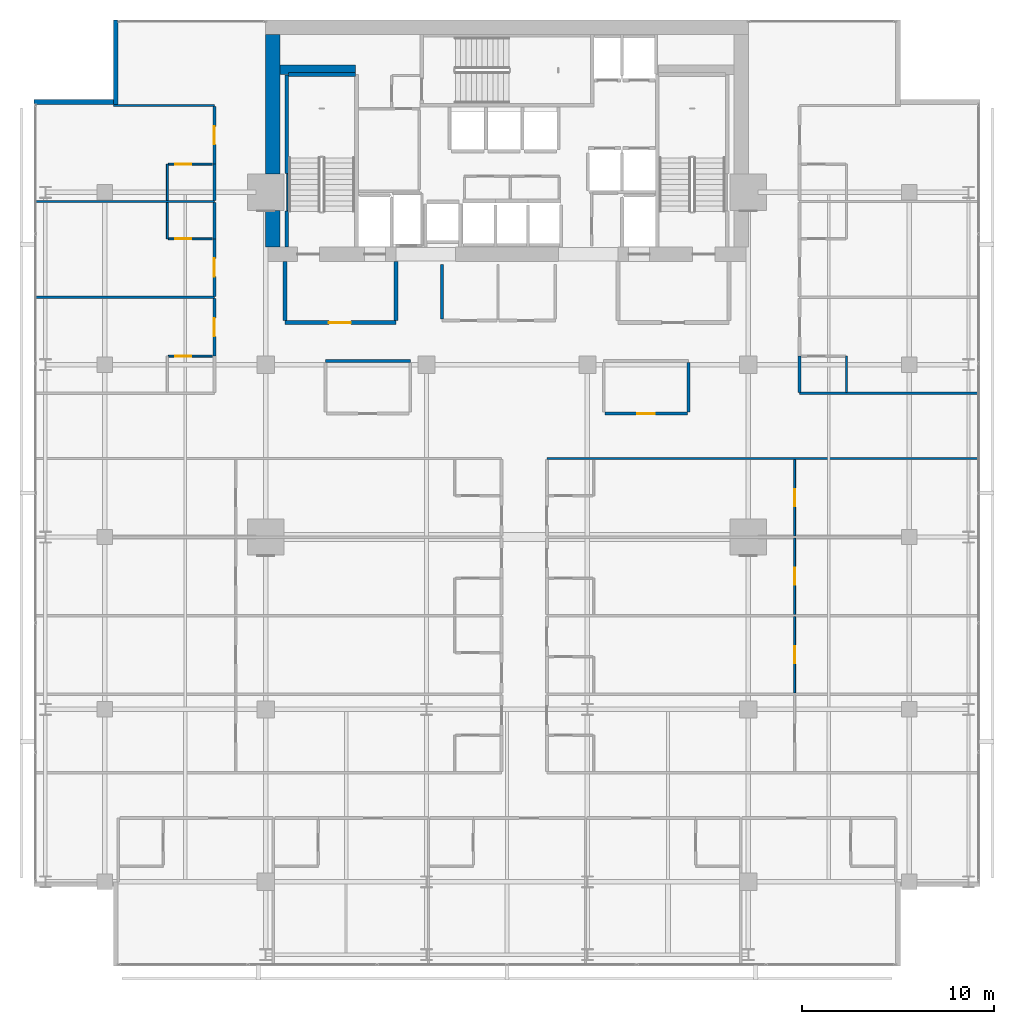
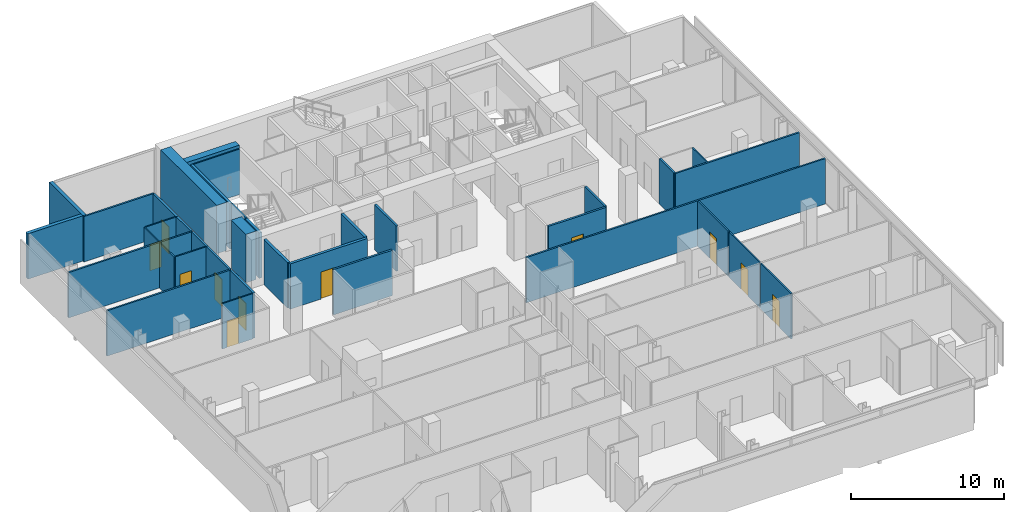
# One storey, part 29 of 34: 36 walls, 11 doors, 11 openings.
"""IFC4 building model written with IfcOpenShell, lengths in metres."""

from ifc_helpers import new_model, si_unit, direction, frame, frame_2d, origin, place, context, subcontext, project, spatial, rectangle, extrude, material, layer, layer_set, type_object, element, fill, save


model = new_model("IFC4")

# Units and contexts
model_context = context("Model", 3, precision=1e-05, world=origin(), true_north=direction((0.0, 1.0)))
body_context = subcontext(model_context, "Body", "Model", "MODEL_VIEW")
ifc_project = project(units=[si_unit("LENGTHUNIT", "METRE"), si_unit("AREAUNIT", "SQUARE_METRE"), si_unit("VOLUMEUNIT", "CUBIC_METRE"), si_unit("PLANEANGLEUNIT", "RADIAN"), si_unit("MASSUNIT", "GRAM", prefix="KILO")], contexts=[model_context])

# Site, building, storey
site_placement = place(None, origin())
site = spatial("IfcSite", under=ifc_project, at=site_placement, CompositionType="ELEMENT")
building_placement = place(site_placement, origin())
building = spatial("IfcBuilding", under=site, at=building_placement, Name="Maruvema Waterfront Hotel and Observation Tower", CompositionType="ELEMENT")
storey_placement = place(building_placement, frame((0.0, 0.0, 181.300048828125)))
storey = spatial("IfcBuildingStorey", under=building, at=storey_placement, Name="L44", CompositionType="ELEMENT", Elevation=181.300048828125)

# Walls
ifc_material_1 = material(Name="Twin-stud acoustic gypsum drywall", Category="gypsum")
ifc_layer_1 = layer(ifc_material_1, 0.14990234375, Name="Acoustic Corridor and Suite Demising Wall 150 mm")
ifc_layer_set_1 = layer_set([ifc_layer_1], Name="Twin-stud acoustic gypsum drywall")
wall_type_1 = type_object("IfcWallType", Name="Acoustic Corridor and Suite Demising Wall 150 mm", PredefinedType="PARTITIONING", material=ifc_layer_set_1)
wall_1_placement = place(storey_placement, frame((34.39990234375, 38.3798828125, 0.0), z_axis=(0.0, 0.0, 1.0), x_axis=(0.0, 1.0, 0.0)))
element("IfcWall", 1, at=wall_1_placement, inside=storey, type_object=wall_type_1, Name="L44 Core Apron K2 West 024", PredefinedType="PARTITIONING", context=body_context, shape_type="SweptSolid", body=[
    extrude(rectangle(XDim=2.840087890625, YDim=0.14990234375, at=frame_2d((1.419921875, 0.0))), origin(), (0.0, 0.0, 1.0), 3.60986328125),
])
wall_2_placement = place(storey_placement, frame((28.320068359375, 36.199951171875, 0.0), z_axis=(0.0, 0.0, 1.0), x_axis=(1.0, 0.0, 0.0)))
element("IfcWall", 2, at=wall_2_placement, inside=storey, type_object=wall_type_1, Name="L44 L44-M1 Back Wall 027", PredefinedType="PARTITIONING", context=body_context, shape_type="SweptSolid", body=[
    extrude(rectangle(XDim=4.429931640625, YDim=0.14990234375, at=frame_2d((2.21484375, 0.0))), origin(), (0.0, 0.0, 1.0), 3.60986328125),
])
wall_3_placement = place(storey_placement, frame((47.280029296875, 33.530029296875, 0.0), z_axis=(0.0, 0.0, 1.0), x_axis=(0.0, 1.0, 0.0)))
element("IfcWall", 3, at=wall_3_placement, inside=storey, type_object=wall_type_1, Name="L44 L44-M2 East Wall 033", PredefinedType="PARTITIONING", context=body_context, shape_type="SweptSolid", body=[
    extrude(rectangle(XDim=2.590087890625, YDim=0.14990234375, at=frame_2d((1.294921875, 0.0))), origin(), (0.0, 0.0, 1.0), 3.60986328125),
])

# Wall, opening, door
wall_4_placement = place(storey_placement, frame((42.909912109375, 33.449951171875, 0.0), z_axis=(0.0, 0.0, 1.0), x_axis=(1.0, 0.0, 0.0)))
wall_4 = element("IfcWall", 4, at=wall_4_placement, inside=storey, type_object=wall_type_1, Name="L44 L44-M2 Front 1 034", PredefinedType="PARTITIONING", context=body_context, shape_type="SweptSolid", body=[
    extrude(rectangle(XDim=4.31005859375, YDim=0.14990234375, at=frame_2d((2.155029296875, 0.0))), origin(), (0.0, 0.0, 1.0), 3.60986328125),
])
opening_1_placement = place(wall_4_placement, frame((1.705078125, 0.0, 0.0)))
opening_1 = element("IfcOpeningElement", 5, at=opening_1_placement, cuts=wall_4, Name="Opening DR-090", PredefinedType="OPENING", context=body_context, shape_type="SweptSolid", body=[
    extrude(rectangle(XDim=0.89990234375, YDim=2.10009765625, at=frame_2d((0.449951171875, 1.050048828125))), frame((0.0, 0.0849609375, 0.0), z_axis=(0.0, -1.0, 0.0), x_axis=(1.0, 0.0, 0.0)), (0.0, 0.0, 1.0), 0.169921875),
])
ifc_material_2 = material(Name="Solid-core lacquered timber leaf", Category="wood")
door_type_1 = type_object("IfcDoorType", Name="Accessible Toilet and Room Door 900x2100 mm", OperationType="NOTDEFINED", PredefinedType="DOOR", material=ifc_material_2)
door_1_placement = place(opening_1_placement, frame((0.89990234375, 0.0, 0.0), z_axis=(0.0, 0.0, 1.0), x_axis=(-1.0, 0.0, 0.0)))
door_1 = element("IfcDoor", 6, at=door_1_placement, inside=storey, type_object=door_type_1, Name="L44 Meeting Room 3 Door", OperationType="SINGLE_SWING_LEFT", OverallHeight=2.10009765625, OverallWidth=0.89990234375, PredefinedType="DOOR", context=body_context, shape_type="SweptSolid", body=[
    extrude(rectangle(XDim=0.89990234375, YDim=2.10009765625, at=frame_2d((0.449951171875, 1.050048828125))), frame((0.0, 0.02490234375, 0.0), z_axis=(0.0, -1.0, 0.0), x_axis=(1.0, 0.0, 0.0)), (0.0, 0.0, 1.0), 0.050048828125),
])
fill(opening_1, door_1)

wall_5_placement = place(storey_placement, frame((22.52001953125, 36.449951171875, 0.0), z_axis=(0.0, 0.0, 1.0), x_axis=(0.0, 1.0, 0.0)))
wall_5 = element("IfcWall", 7, at=wall_5_placement, inside=storey, type_object=wall_type_1, Name="L44 Room L44-NW1 Corridor Wall 116", PredefinedType="PARTITIONING", context=body_context, shape_type="SweptSolid", body=[
    extrude(rectangle(XDim=3.00244140625, YDim=0.14990234375, at=frame_2d((1.501220703125, 0.0))), origin(), (0.0, 0.0, 1.0), 3.60986328125),
])
opening_2_placement = place(wall_5_placement, frame((1.026123046875, 0.0, 0.0)))
opening_2 = element("IfcOpeningElement", 8, at=opening_2_placement, cuts=wall_5, Name="Opening DR-095", PredefinedType="OPENING", context=body_context, shape_type="SweptSolid", body=[
    extrude(rectangle(XDim=0.949951171875, YDim=2.14990234375, at=frame_2d((0.47509765625, 1.074951171875))), frame((0.0, 0.0849609375, 0.0), z_axis=(0.0, -1.0, 0.0), x_axis=(1.0, 0.0, 0.0)), (0.0, 0.0, 1.0), 0.169921875),
])
ifc_material_3 = material(Name="Acoustic solid-core hardwood timber leaf", Category="wood")
door_type_2 = type_object("IfcDoorType", Name="Guestroom Entrance Fire Door 950x2150 mm", OperationType="NOTDEFINED", PredefinedType="DOOR", material=ifc_material_3)
door_2_placement = place(opening_2_placement, origin())
door_2 = element("IfcDoor", 9, at=door_2_placement, inside=storey, type_object=door_type_2, Name="L44 Room L44-NW1 Entrance Door", OperationType="SINGLE_SWING_LEFT", OverallHeight=2.14990234375, OverallWidth=0.949951171875, PredefinedType="DOOR", context=body_context, shape_type="SweptSolid", body=[
    extrude(rectangle(XDim=0.949951171875, YDim=2.14990234375, at=frame_2d((0.47509765625, 1.074951171875))), frame((0.0, 0.02490234375, 0.0), z_axis=(0.0, -1.0, 0.0), x_axis=(1.0, 0.0, 0.0)), (0.0, 0.0, 1.0), 0.050048828125),
])
fill(opening_2, door_2)

# Wall
wall_6_placement = place(storey_placement, frame((53.080078125, 34.56005859375, 0.0), z_axis=(0.0, 0.0, 1.0), x_axis=(0.0, 1.0, 0.0)))
element("IfcWall", 10, at=wall_6_placement, inside=storey, type_object=wall_type_1, Name="L44 Bath L44-NE1 Wall 119", PredefinedType="PARTITIONING", context=body_context, shape_type="SweptSolid", body=[
    extrude(rectangle(XDim=1.889892578125, YDim=0.14990234375, at=frame_2d((0.94482421875, 0.0))), origin(), (0.0, 0.0, 1.0), 3.60986328125),
])

# Wall, opening, door
wall_7_placement = place(storey_placement, frame((22.52001953125, 39.572509765625, 0.0), z_axis=(0.0, 0.0, 1.0), x_axis=(0.0, 1.0, 0.0)))
wall_7 = element("IfcWall", 11, at=wall_7_placement, inside=storey, type_object=wall_type_1, Name="L44 Room L44-NW2 Corridor Wall 125", PredefinedType="PARTITIONING", context=body_context, shape_type="SweptSolid", body=[
    extrude(rectangle(XDim=3.00244140625, YDim=0.14990234375, at=frame_2d((1.501220703125, 0.0))), origin(), (0.0, 0.0, 1.0), 3.60986328125),
])
opening_3_placement = place(wall_7_placement, frame((1.0263671875, 0.0, 0.0)))
opening_3 = element("IfcOpeningElement", 12, at=opening_3_placement, cuts=wall_7, Name="Opening DR-095", PredefinedType="OPENING", context=body_context, shape_type="SweptSolid", body=[
    extrude(rectangle(XDim=0.949951171875, YDim=2.14990234375, at=frame_2d((0.47509765625, 1.074951171875))), frame((0.0, 0.0849609375, 0.0), z_axis=(0.0, -1.0, 0.0), x_axis=(1.0, 0.0, 0.0)), (0.0, 0.0, 1.0), 0.169921875),
])
door_3_placement = place(opening_3_placement, origin())
door_3 = element("IfcDoor", 13, at=door_3_placement, inside=storey, type_object=door_type_2, Name="L44 Room L44-NW2 Entrance Door", OperationType="SINGLE_SWING_LEFT", OverallHeight=2.14990234375, OverallWidth=0.949951171875, PredefinedType="DOOR", context=body_context, shape_type="SweptSolid", body=[
    extrude(rectangle(XDim=0.949951171875, YDim=2.14990234375, at=frame_2d((0.47509765625, 1.074951171875))), frame((0.0, 0.02490234375, 0.0), z_axis=(0.0, -1.0, 0.0), x_axis=(1.0, 0.0, 0.0)), (0.0, 0.0, 1.0), 0.050048828125),
])
fill(opening_3, door_3)

# Walls
for number, where, z_axis, x_axis, name in (
    (14, (22.52001953125, 42.574951171875, 0.0), (0.0, 0.0, 1.0), (0.0, 1.0, 0.0), "L44 Bath L44-NW2 Wall 126"),
    (15, (22.52001953125, 44.5849609375, 0.0), (0.0, 0.0, 1.0), (0.0, 1.0, 0.0), "L44 Bath L44-NW3 Wall 135"),
):
    element("IfcWall", number, at=place(storey_placement, frame(where, z_axis=z_axis, x_axis=x_axis)), inside=storey, type_object=wall_type_1, Name=name, PredefinedType="PARTITIONING", context=body_context, shape_type="SweptSolid", body=[
        extrude(rectangle(XDim=1.89013671875, YDim=0.14990234375, at=frame_2d((0.945068359375, 0.0))), origin(), (0.0, 0.0, 1.0), 3.60986328125),
    ])

# Wall, opening, door
wall_8_placement = place(storey_placement, frame((22.52001953125, 46.47509765625, 0.0), z_axis=(0.0, 0.0, 1.0), x_axis=(0.0, 1.0, 0.0)))
wall_8 = element("IfcWall", 16, at=wall_8_placement, inside=storey, type_object=wall_type_1, Name="L44 Room L44-NW3 Corridor Wall 136", PredefinedType="PARTITIONING", context=body_context, shape_type="SweptSolid", body=[
    extrude(rectangle(XDim=3.00244140625, YDim=0.14990234375, at=frame_2d((1.501220703125, 0.0))), origin(), (0.0, 0.0, 1.0), 3.60986328125),
])
opening_4_placement = place(wall_8_placement, frame((1.026123046875, 0.0, 0.0)))
opening_4 = element("IfcOpeningElement", 17, at=opening_4_placement, cuts=wall_8, Name="Opening DR-095", PredefinedType="OPENING", context=body_context, shape_type="SweptSolid", body=[
    extrude(rectangle(XDim=0.949951171875, YDim=2.14990234375, at=frame_2d((0.47509765625, 1.074951171875))), frame((0.0, 0.0849609375, 0.0), z_axis=(0.0, -1.0, 0.0), x_axis=(1.0, 0.0, 0.0)), (0.0, 0.0, 1.0), 0.169921875),
])
door_4_placement = place(opening_4_placement, origin())
door_4 = element("IfcDoor", 18, at=door_4_placement, inside=storey, type_object=door_type_2, Name="L44 Room L44-NW3 Entrance Door", OperationType="SINGLE_SWING_LEFT", OverallHeight=2.14990234375, OverallWidth=0.949951171875, PredefinedType="DOOR", context=body_context, shape_type="SweptSolid", body=[
    extrude(rectangle(XDim=0.949951171875, YDim=2.14990234375, at=frame_2d((0.47509765625, 1.074951171875))), frame((0.0, 0.02490234375, 0.0), z_axis=(0.0, -1.0, 0.0), x_axis=(1.0, 0.0, 0.0)), (0.0, 0.0, 1.0), 0.050048828125),
])
fill(opening_4, door_4)

# Walls
ifc_material_4 = material(Name="Precast concrete C45/55", Category="concrete")
ifc_layer_2 = layer(ifc_material_4, 0.199951171875, Name="Core Shaft and Stairwell Enclosure Wall 200 mm")
ifc_layer_set_2 = layer_set([ifc_layer_2], Name="Precast concrete C45/55")
wall_type_2 = type_object("IfcWallType", Name="Core Shaft and Stairwell Enclosure Wall 200 mm", PredefinedType="SOLIDWALL", material=ifc_layer_set_2)
wall_9_placement = place(storey_placement, frame((26.300048828125, 42.14990234375, 0.0), z_axis=(0.0, 0.0, 1.0), x_axis=(0.0, 1.0, 0.0)))
element("IfcWall", 19, at=wall_9_placement, inside=storey, type_object=wall_type_2, Name="L44 Stairwell ST-01 Shaft Lining Wall", PredefinedType="SOLIDWALL", context=body_context, shape_type="SweptSolid", body=[
    extrude(rectangle(XDim=1.8701171875, YDim=0.199951171875, at=frame_2d((0.93505859375, 0.0))), origin(), (0.0, 0.0, 1.0), 3.60986328125),
])
wall_10_placement = place(storey_placement, frame((26.300048828125, 45.97998046875, 0.0), z_axis=(0.0, 0.0, 1.0), x_axis=(0.0, 1.0, 0.0)))
element("IfcWall", 20, at=wall_10_placement, inside=storey, type_object=wall_type_2, Name="L44 Stairwell ST-01 Shaft Lining Wall", PredefinedType="SOLIDWALL", context=body_context, shape_type="SweptSolid", body=[
    extrude(rectangle(XDim=5.14013671875, YDim=0.199951171875, at=frame_2d((2.570068359375, 0.0))), origin(), (0.0, 0.0, 1.0), 3.60986328125),
])
wall_11_placement = place(storey_placement, frame((26.3798828125, 51.14990234375, 0.0), z_axis=(0.0, 0.0, 1.0), x_axis=(1.0, 0.0, 0.0)))
element("IfcWall", 21, at=wall_11_placement, inside=storey, type_object=wall_type_2, Name="L44 Stairwell ST-01 Shaft Lining Wall", PredefinedType="SOLIDWALL", context=body_context, shape_type="SweptSolid", body=[
    extrude(rectangle(XDim=3.5, YDim=0.199951171875, at=frame_2d((1.75, 0.0))), origin(), (0.0, 0.0, 1.0), 3.60986328125),
])
ifc_material_5 = material(Name="Concrete C70/85", Category="concrete")
ifc_layer_3 = layer(ifc_material_5, 0.5, Name="Core Shear Wall 500 mm")
ifc_layer_set_3 = layer_set([ifc_layer_3], Name="Concrete C70/85")
wall_type_3 = type_object("IfcWallType", Name="Core Shear Wall 500 mm", PredefinedType="SHEAR", material=ifc_layer_set_3)
wall_12_placement = place(storey_placement, frame((25.949951171875, 51.39990234375, 0.0), z_axis=(0.0, 0.0, 1.0), x_axis=(1.0, 0.0, 0.0)))
element("IfcWall", 22, at=wall_12_placement, inside=storey, type_object=wall_type_3, Name="L44 Internal Core Shear Wall NW 500 mm", PredefinedType="SHEAR", context=body_context, shape_type="SweptSolid", body=[
    extrude(rectangle(XDim=3.949951171875, YDim=0.5, at=frame_2d((1.97509765625, 0.0))), origin(), (0.0, 0.0, 1.0), 3.849853515625),
])
ifc_material_6 = material(Name="Concrete C70/85", Category="concrete")
ifc_layer_4 = layer(ifc_material_6, 0.75, Name="Core Shear Wall 750 mm")
ifc_layer_set_4 = layer_set([ifc_layer_4], Name="Concrete C70/85")
wall_type_4 = type_object("IfcWallType", Name="Core Shear Wall 750 mm", PredefinedType="SHEAR", material=ifc_layer_set_4)
wall_13_placement = place(storey_placement, frame((25.574951171875, 42.14990234375, 0.0), z_axis=(0.0, 0.0, 1.0), x_axis=(0.0, 1.0, 0.0)))
element("IfcWall", 23, at=wall_13_placement, inside=storey, type_object=wall_type_4, Name="L44 West-South Core Shear Wall", PredefinedType="SHEAR", context=body_context, shape_type="SweptSolid", body=[
    extrude(rectangle(XDim=1.900146484375, YDim=0.75, at=frame_2d((0.9501953125, 0.0))), origin(), (0.0, 0.0, 1.0), 3.849853515625),
])
wall_14_placement = place(storey_placement, frame((25.574951171875, 45.949951171875, 0.0), z_axis=(0.0, 0.0, 1.0), x_axis=(0.0, 1.0, 0.0)))
element("IfcWall", 24, at=wall_14_placement, inside=storey, type_object=wall_type_4, Name="L44 West-North Core Shear Wall", PredefinedType="SHEAR", context=body_context, shape_type="SweptSolid", body=[
    extrude(rectangle(XDim=7.300048828125, YDim=0.75, at=frame_2d((3.64990234375, 0.0))), origin(), (0.0, 0.0, 1.0), 3.849853515625),
])

# Wall, opening, door
ifc_material_7 = material(Name="Moisture-resistant cement-board drywall", Category="gypsum")
ifc_layer_5 = layer(ifc_material_7, 0.10009765625, Name="En-Suite Moisture-Resistant Partition 100 mm")
ifc_layer_set_5 = layer_set([ifc_layer_5], Name="Moisture-resistant cement-board drywall")
wall_type_5 = type_object("IfcWallType", Name="En-Suite Moisture-Resistant Partition 100 mm", PredefinedType="PARTITIONING", material=ifc_layer_set_5)
wall_15_placement = place(storey_placement, frame((52.818359375, 18.860107421875, 0.0), z_axis=(0.0, 0.0, 1.0), x_axis=(0.0, 1.0, 0.0)))
wall_15 = element("IfcWall", 25, at=wall_15_placement, inside=storey, type_object=wall_type_5, Name="L44 Suite L44-E2 Split 086", PredefinedType="PARTITIONING", context=body_context, shape_type="SweptSolid", body=[
    extrude(rectangle(XDim=3.97998046875, YDim=0.10009765625, at=frame_2d((1.989990234375, 0.0))), origin(), (0.0, 0.0, 1.0), 3.60986328125),
])
opening_5_placement = place(wall_15_placement, frame((1.5400390625, 0.0, 0.0)))
opening_5 = element("IfcOpeningElement", 26, at=opening_5_placement, cuts=wall_15, Name="Opening DR-090", PredefinedType="OPENING", context=body_context, shape_type="SweptSolid", body=[
    extrude(rectangle(XDim=0.89990234375, YDim=2.10009765625, at=frame_2d((0.449951171875, 1.050048828125))), frame((0.0, 0.06005859375, 0.0), z_axis=(0.0, -1.0, 0.0), x_axis=(1.0, 0.0, 0.0)), (0.0, 0.0, 1.0), 0.1201171875),
])
door_5_placement = place(opening_5_placement, frame((0.89990234375, 0.0, 0.0), z_axis=(0.0, 0.0, 1.0), x_axis=(-1.0, 0.0, 0.0)))
door_5 = element("IfcDoor", 27, at=door_5_placement, inside=storey, type_object=door_type_1, Name="L44 Suite L44-E2 Bedroom Door", OperationType="SINGLE_SWING_LEFT", OverallHeight=2.10009765625, OverallWidth=0.89990234375, PredefinedType="DOOR", context=body_context, shape_type="SweptSolid", body=[
    extrude(rectangle(XDim=0.89990234375, YDim=2.10009765625, at=frame_2d((0.449951171875, 1.050048828125))), frame((0.0, 0.02490234375, 0.0), z_axis=(0.0, -1.0, 0.0), x_axis=(1.0, 0.0, 0.0)), (0.0, 0.0, 1.0), 0.050048828125),
])
fill(opening_5, door_5)

wall_16_placement = place(storey_placement, frame((52.818359375, 22.9599609375, 0.0), z_axis=(0.0, 0.0, 1.0), x_axis=(0.0, 1.0, 0.0)))
wall_16 = element("IfcWall", 28, at=wall_16_placement, inside=storey, type_object=wall_type_5, Name="L44 Suite L44-E3 Split 098", PredefinedType="PARTITIONING", context=body_context, shape_type="SweptSolid", body=[
    extrude(rectangle(XDim=3.97998046875, YDim=0.10009765625, at=frame_2d((1.989990234375, 0.0))), origin(), (0.0, 0.0, 1.0), 3.60986328125),
])
opening_6_placement = place(wall_16_placement, frame((1.5400390625, 0.0, 0.0)))
opening_6 = element("IfcOpeningElement", 29, at=opening_6_placement, cuts=wall_16, Name="Opening DR-090", PredefinedType="OPENING", context=body_context, shape_type="SweptSolid", body=[
    extrude(rectangle(XDim=0.89990234375, YDim=2.10009765625, at=frame_2d((0.449951171875, 1.050048828125))), frame((0.0, 0.06005859375, 0.0), z_axis=(0.0, -1.0, 0.0), x_axis=(1.0, 0.0, 0.0)), (0.0, 0.0, 1.0), 0.1201171875),
])
door_6_placement = place(opening_6_placement, frame((0.89990234375, 0.0, 0.0), z_axis=(0.0, 0.0, 1.0), x_axis=(-1.0, 0.0, 0.0)))
door_6 = element("IfcDoor", 30, at=door_6_placement, inside=storey, type_object=door_type_1, Name="L44 Suite L44-E3 Bedroom Door", OperationType="SINGLE_SWING_LEFT", OverallHeight=2.10009765625, OverallWidth=0.89990234375, PredefinedType="DOOR", context=body_context, shape_type="SweptSolid", body=[
    extrude(rectangle(XDim=0.89990234375, YDim=2.10009765625, at=frame_2d((0.449951171875, 1.050048828125))), frame((0.0, 0.02490234375, 0.0), z_axis=(0.0, -1.0, 0.0), x_axis=(1.0, 0.0, 0.0)), (0.0, 0.0, 1.0), 0.050048828125),
])
fill(opening_6, door_6)

wall_17_placement = place(storey_placement, frame((52.818359375, 27.06005859375, 0.0), z_axis=(0.0, 0.0, 1.0), x_axis=(0.0, 1.0, 0.0)))
wall_17 = element("IfcWall", 31, at=wall_17_placement, inside=storey, type_object=wall_type_5, Name="L44 Suite L44-E4 Split 110", PredefinedType="PARTITIONING", context=body_context, shape_type="SweptSolid", body=[
    extrude(rectangle(XDim=3.97998046875, YDim=0.10009765625, at=frame_2d((1.989990234375, 0.0))), origin(), (0.0, 0.0, 1.0), 3.60986328125),
])
opening_7_placement = place(wall_17_placement, frame((1.5400390625, 0.0, 0.0)))
opening_7 = element("IfcOpeningElement", 32, at=opening_7_placement, cuts=wall_17, Name="Opening DR-090", PredefinedType="OPENING", context=body_context, shape_type="SweptSolid", body=[
    extrude(rectangle(XDim=0.89990234375, YDim=2.10009765625, at=frame_2d((0.449951171875, 1.050048828125))), frame((0.0, 0.06005859375, 0.0), z_axis=(0.0, -1.0, 0.0), x_axis=(1.0, 0.0, 0.0)), (0.0, 0.0, 1.0), 0.1201171875),
])
door_7_placement = place(opening_7_placement, frame((0.89990234375, 0.0, 0.0), z_axis=(0.0, 0.0, 1.0), x_axis=(-1.0, 0.0, 0.0)))
door_7 = element("IfcDoor", 33, at=door_7_placement, inside=storey, type_object=door_type_1, Name="L44 Suite L44-E4 Bedroom Door", OperationType="SINGLE_SWING_LEFT", OverallHeight=2.10009765625, OverallWidth=0.89990234375, PredefinedType="DOOR", context=body_context, shape_type="SweptSolid", body=[
    extrude(rectangle(XDim=0.89990234375, YDim=2.10009765625, at=frame_2d((0.449951171875, 1.050048828125))), frame((0.0, 0.02490234375, 0.0), z_axis=(0.0, -1.0, 0.0), x_axis=(1.0, 0.0, 0.0)), (0.0, 0.0, 1.0), 0.050048828125),
])
fill(opening_7, door_7)

wall_18_placement = place(storey_placement, frame((20.1201171875, 36.449951171875, 0.0), z_axis=(0.0, 0.0, 1.0), x_axis=(1.0, 0.0, 0.0)))
wall_18 = element("IfcWall", 34, at=wall_18_placement, inside=storey, type_object=wall_type_5, Name="L44 En-Suite L44-NW1 N 118", PredefinedType="PARTITIONING", context=body_context, shape_type="SweptSolid", body=[
    extrude(rectangle(XDim=2.2998046875, YDim=0.10009765625, at=frame_2d((1.14990234375, 0.0))), origin(), (0.0, 0.0, 1.0), 3.60986328125),
])
opening_8_placement = place(wall_18_placement, frame((0.35009765625, 0.0, 0.0)))
opening_8 = element("IfcOpeningElement", 35, at=opening_8_placement, cuts=wall_18, Name="Opening DR-085", PredefinedType="OPENING", context=body_context, shape_type="SweptSolid", body=[
    extrude(rectangle(XDim=0.85009765625, YDim=2.10009765625, at=frame_2d((0.425048828125, 1.050048828125))), frame((0.0, 0.06005859375, 0.0), z_axis=(0.0, -1.0, 0.0), x_axis=(1.0, 0.0, 0.0)), (0.0, 0.0, 1.0), 0.1201171875),
])
ifc_material_8 = material(Name="Moisture-resistant solid timber leaf", Category="wood")
door_type_3 = type_object("IfcDoorType", Name="En-Suite Bathroom Door 850x2100 mm", OperationType="NOTDEFINED", PredefinedType="DOOR", material=ifc_material_8)
door_8_placement = place(opening_8_placement, origin())
door_8 = element("IfcDoor", 36, at=door_8_placement, inside=storey, type_object=door_type_3, Name="L44 En-Suite L44-NW1 Door", OperationType="SINGLE_SWING_RIGHT", OverallHeight=2.10009765625, OverallWidth=0.85009765625, PredefinedType="DOOR", context=body_context, shape_type="SweptSolid", body=[
    extrude(rectangle(XDim=0.85009765625, YDim=2.10009765625, at=frame_2d((0.425048828125, 1.050048828125))), frame((0.0, 0.02490234375, 0.0), z_axis=(0.0, -1.0, 0.0), x_axis=(1.0, 0.0, 0.0)), (0.0, 0.0, 1.0), 0.050048828125),
])
fill(opening_8, door_8)

# Walls
wall_19_placement = place(storey_placement, frame((55.530029296875, 34.56005859375, 0.0), z_axis=(0.0, 0.0, 1.0), x_axis=(0.0, 1.0, 0.0)))
element("IfcWall", 37, at=wall_19_placement, inside=storey, type_object=wall_type_5, Name="L44 En-Suite L44-NE1 E 121", PredefinedType="PARTITIONING", context=body_context, shape_type="SweptSolid", body=[
    extrude(rectangle(XDim=1.889892578125, YDim=0.10009765625, at=frame_2d((0.94482421875, 0.0))), origin(), (0.0, 0.0, 1.0), 3.60986328125),
])
wall_20_placement = place(storey_placement, frame((20.070068359375, 42.574951171875, 0.0), z_axis=(0.0, 0.0, 1.0), x_axis=(0.0, 1.0, 0.0)))
element("IfcWall", 38, at=wall_20_placement, inside=storey, type_object=wall_type_5, Name="L44 En-Suite L44-NW2 W 127", PredefinedType="PARTITIONING", context=body_context, shape_type="SweptSolid", body=[
    extrude(rectangle(XDim=1.89013671875, YDim=0.10009765625, at=frame_2d((0.945068359375, 0.0))), origin(), (0.0, 0.0, 1.0), 3.60986328125),
])

# Wall, opening, door
wall_21_placement = place(storey_placement, frame((20.1201171875, 42.574951171875, 0.0), z_axis=(0.0, 0.0, 1.0), x_axis=(1.0, 0.0, 0.0)))
wall_21 = element("IfcWall", 39, at=wall_21_placement, inside=storey, type_object=wall_type_5, Name="L44 En-Suite L44-NW2 S 128", PredefinedType="PARTITIONING", context=body_context, shape_type="SweptSolid", body=[
    extrude(rectangle(XDim=2.2998046875, YDim=0.10009765625, at=frame_2d((1.14990234375, 0.0))), origin(), (0.0, 0.0, 1.0), 3.60986328125),
])
opening_9_placement = place(wall_21_placement, frame((0.35009765625, 0.0, 0.0)))
opening_9 = element("IfcOpeningElement", 40, at=opening_9_placement, cuts=wall_21, Name="Opening DR-085", PredefinedType="OPENING", context=body_context, shape_type="SweptSolid", body=[
    extrude(rectangle(XDim=0.85009765625, YDim=2.10009765625, at=frame_2d((0.425048828125, 1.050048828125))), frame((0.0, 0.06005859375, 0.0), z_axis=(0.0, -1.0, 0.0), x_axis=(1.0, 0.0, 0.0)), (0.0, 0.0, 1.0), 0.1201171875),
])
door_9_placement = place(opening_9_placement, frame((0.85009765625, 0.0, 0.0), z_axis=(0.0, 0.0, 1.0), x_axis=(-1.0, 0.0, 0.0)))
door_9 = element("IfcDoor", 41, at=door_9_placement, inside=storey, type_object=door_type_3, Name="L44 En-Suite L44-NW2 Door", OperationType="SINGLE_SWING_RIGHT", OverallHeight=2.10009765625, OverallWidth=0.85009765625, PredefinedType="DOOR", context=body_context, shape_type="SweptSolid", body=[
    extrude(rectangle(XDim=0.85009765625, YDim=2.10009765625, at=frame_2d((0.425048828125, 1.050048828125))), frame((0.0, 0.02490234375, 0.0), z_axis=(0.0, -1.0, 0.0), x_axis=(1.0, 0.0, 0.0)), (0.0, 0.0, 1.0), 0.050048828125),
])
fill(opening_9, door_9)

# Wall
wall_22_placement = place(storey_placement, frame((20.070068359375, 44.5849609375, 0.0), z_axis=(0.0, 0.0, 1.0), x_axis=(0.0, 1.0, 0.0)))
element("IfcWall", 42, at=wall_22_placement, inside=storey, type_object=wall_type_5, Name="L44 En-Suite L44-NW3 W 137", PredefinedType="PARTITIONING", context=body_context, shape_type="SweptSolid", body=[
    extrude(rectangle(XDim=1.89013671875, YDim=0.10009765625, at=frame_2d((0.945068359375, 0.0))), origin(), (0.0, 0.0, 1.0), 3.60986328125),
])

# Wall, opening, door
wall_23_placement = place(storey_placement, frame((20.1201171875, 46.47509765625, 0.0), z_axis=(0.0, 0.0, 1.0), x_axis=(1.0, 0.0, 0.0)))
wall_23 = element("IfcWall", 43, at=wall_23_placement, inside=storey, type_object=wall_type_5, Name="L44 En-Suite L44-NW3 N 138", PredefinedType="PARTITIONING", context=body_context, shape_type="SweptSolid", body=[
    extrude(rectangle(XDim=2.2998046875, YDim=0.10009765625, at=frame_2d((1.14990234375, 0.0))), origin(), (0.0, 0.0, 1.0), 3.60986328125),
])
opening_10_placement = place(wall_23_placement, frame((0.35009765625, 0.0, 0.0)))
opening_10 = element("IfcOpeningElement", 44, at=opening_10_placement, cuts=wall_23, Name="Opening DR-085", PredefinedType="OPENING", context=body_context, shape_type="SweptSolid", body=[
    extrude(rectangle(XDim=0.85009765625, YDim=2.10009765625, at=frame_2d((0.425048828125, 1.050048828125))), frame((0.0, 0.06005859375, 0.0), z_axis=(0.0, -1.0, 0.0), x_axis=(1.0, 0.0, 0.0)), (0.0, 0.0, 1.0), 0.1201171875),
])
door_10_placement = place(opening_10_placement, origin())
door_10 = element("IfcDoor", 45, at=door_10_placement, inside=storey, type_object=door_type_3, Name="L44 En-Suite L44-NW3 Door", OperationType="SINGLE_SWING_RIGHT", OverallHeight=2.10009765625, OverallWidth=0.85009765625, PredefinedType="DOOR", context=body_context, shape_type="SweptSolid", body=[
    extrude(rectangle(XDim=0.85009765625, YDim=2.10009765625, at=frame_2d((0.425048828125, 1.050048828125))), frame((0.0, 0.02490234375, 0.0), z_axis=(0.0, -1.0, 0.0), x_axis=(1.0, 0.0, 0.0)), (0.0, 0.0, 1.0), 0.050048828125),
])
fill(opening_10, door_10)

# Walls
ifc_material_9 = material(Name="Precast concrete C45/55 with honed Pernambuco granite facing", Category="masonry")
ifc_layer_6 = layer(ifc_material_9, 0.260009765625, Name="Exterior Granite Clad Spandrel and Pier Wall 260 mm")
ifc_layer_set_6 = layer_set([ifc_layer_6], Name="Precast concrete C45/55 with honed Pernambuco granite facing")
wall_type_6 = type_object("IfcWallType", Name="Exterior Granite Clad Spandrel and Pier Wall 260 mm", PredefinedType="SOLIDWALL", material=ifc_layer_set_6)
for number, where, z_axis, x_axis, name in (
    (46, (17.3701171875, 49.60009765625, 0.0), (0.0, 0.0, 1.0), (0.0, 1.0, 0.0), "L44 Corner Notch Granite Pier Wall NW1"),
    (47, (13.10009765625, 49.72998046875, 0.0), (0.0, 0.0, 1.0), (1.0, 0.0, 0.0), "L44 Corner Notch Granite Pier Wall NW2"),
):
    element("IfcWall", number, at=place(storey_placement, frame(where, z_axis=z_axis, x_axis=x_axis)), inside=storey, type_object=wall_type_6, Name=name, PredefinedType="SOLIDWALL", context=body_context, shape_type="SweptSolid", body=[
        extrude(rectangle(XDim=4.39990234375, YDim=0.260009765625, at=frame_2d((2.199951171875, 0.0))), origin(), (0.0, 0.0, 1.0), 3.60986328125),
    ])

# Wall, opening, door
ifc_material_10 = material(Name="Autoclaved cellular concrete blockwork", Category="masonry")
ifc_layer_7 = layer(ifc_material_10, 0.199951171875, Name="Fire Compartment Masonry Wall 200 mm")
ifc_layer_set_7 = layer_set([ifc_layer_7], Name="Autoclaved cellular concrete blockwork")
wall_type_7 = type_object("IfcWallType", Name="Fire Compartment Masonry Wall 200 mm", PredefinedType="PARTITIONING", material=ifc_layer_set_7)
wall_24_placement = place(storey_placement, frame((26.199951171875, 38.199951171875, 0.0), z_axis=(0.0, 0.0, 1.0), x_axis=(1.0, 0.0, 0.0)))
wall_24 = element("IfcWall", 48, at=wall_24_placement, inside=storey, type_object=wall_type_7, Name="L44 FFL West South Wall 001", PredefinedType="PARTITIONING", context=body_context, shape_type="SweptSolid", body=[
    extrude(rectangle(XDim=5.800048828125, YDim=0.199951171875, at=frame_2d((2.89990234375, 0.0))), origin(), (0.0, 0.0, 1.0), 3.60986328125),
])
opening_11_placement = place(wall_24_placement, frame((2.300048828125, 0.0, 0.0)))
opening_11 = element("IfcOpeningElement", 49, at=opening_11_placement, cuts=wall_24, Name="Opening FD-115", PredefinedType="OPENING", context=body_context, shape_type="SweptSolid", body=[
    extrude(rectangle(XDim=1.14990234375, YDim=2.14990234375, at=frame_2d((0.574951171875, 1.074951171875))), frame((0.0, 0.10986328125, 0.0), z_axis=(0.0, -1.0, 0.0), x_axis=(1.0, 0.0, 0.0)), (0.0, 0.0, 1.0), 0.219970703125),
])
ifc_material_11 = material(Name="Fire-rated galvanised steel and vision glass", Category="steel")
door_type_4 = type_object("IfcDoorType", Name="Firefighting Lobby Fire Door 1150x2150 mm", OperationType="NOTDEFINED", PredefinedType="DOOR", material=ifc_material_11)
door_11_placement = place(opening_11_placement, frame((1.14990234375, 0.0, 0.0), z_axis=(0.0, 0.0, 1.0), x_axis=(-1.0, 0.0, 0.0)))
door_11 = element("IfcDoor", 50, at=door_11_placement, inside=storey, type_object=door_type_4, Name="L44 Firefighting Lobby West Door", OperationType="SINGLE_SWING_RIGHT", OverallHeight=2.14990234375, OverallWidth=1.14990234375, PredefinedType="DOOR", context=body_context, shape_type="SweptSolid", body=[
    extrude(rectangle(XDim=1.14990234375, YDim=2.14990234375, at=frame_2d((0.574951171875, 1.074951171875))), frame((0.0, 0.02490234375, 0.0), z_axis=(0.0, -1.0, 0.0), x_axis=(1.0, 0.0, 0.0)), (0.0, 0.0, 1.0), 0.050048828125),
])
fill(opening_11, door_11)

# Walls
for number, where, z_axis, x_axis, name in (
    (51, (26.199951171875, 38.31005859375, 0.0), (0.0, 0.0, 1.0), (0.0, 1.0, 0.0), "L44 FFL West West Wall 002"),
    (52, (32.0, 38.31005859375, 0.0), (0.0, 0.0, 1.0), (0.0, 1.0, 0.0), "L44 FFL West East Wall 003"),
):
    element("IfcWall", number, at=place(storey_placement, frame(where, z_axis=z_axis, x_axis=x_axis)), inside=storey, type_object=wall_type_7, Name=name, PredefinedType="PARTITIONING", context=body_context, shape_type="SweptSolid", body=[
        extrude(rectangle(XDim=3.06982421875, YDim=0.199951171875, at=frame_2d((1.534912109375, 0.0))), origin(), (0.0, 0.0, 1.0), 3.60986328125),
    ])
ifc_material_12 = material(Name="Acoustic gypsum plasterboard drywall", Category="gypsum")
ifc_layer_8 = layer(ifc_material_12, 0.125, Name="Guestroom Acoustic Demising Wall 125 mm")
ifc_layer_set_8 = layer_set([ifc_layer_8], Name="Acoustic gypsum plasterboard drywall")
wall_type_8 = type_object("IfcWallType", Name="Guestroom Acoustic Demising Wall 125 mm", PredefinedType="PARTITIONING", material=ifc_layer_set_8)
wall_25_placement = place(storey_placement, frame((39.8798828125, 31.10009765625, 0.0), z_axis=(0.0, 0.0, 1.0), x_axis=(1.0, 0.0, 0.0)))
element("IfcWall", 53, at=wall_25_placement, inside=storey, type_object=wall_type_8, Name="L44 Z2 E Top End 064", PredefinedType="PARTITIONING", context=body_context, shape_type="SweptSolid", body=[
    extrude(rectangle(XDim=22.52001953125, YDim=0.125, at=frame_2d((11.260009765625, 0.0))), origin(), (0.0, 0.0, 1.0), 3.60986328125),
])
wall_26_placement = place(storey_placement, frame((53.080078125, 34.5, 0.0), z_axis=(0.0, 0.0, 1.0), x_axis=(1.0, 0.0, 0.0)))
element("IfcWall", 54, at=wall_26_placement, inside=storey, type_object=wall_type_8, Name="L44 Z2 NE Bot End 112", PredefinedType="PARTITIONING", context=body_context, shape_type="SweptSolid", body=[
    extrude(rectangle(XDim=9.31982421875, YDim=0.125, at=frame_2d((4.659912109375, 0.0))), origin(), (0.0, 0.0, 1.0), 3.60986328125),
])
wall_27_placement = place(storey_placement, frame((17.239990234375, 49.53759765625, 0.0), z_axis=(0.0, 0.0, 1.0), x_axis=(1.0, 0.0, 0.0)))
element("IfcWall", 55, at=wall_27_placement, inside=storey, type_object=wall_type_8, Name="L44 Z2 NW Top End 113", PredefinedType="PARTITIONING", context=body_context, shape_type="SweptSolid", body=[
    extrude(rectangle(XDim=5.280029296875, YDim=0.125, at=frame_2d((2.64013671875, 0.0))), origin(), (0.0, 0.0, 1.0), 3.60986328125),
])
for number, where, z_axis, x_axis, name in (
    (56, (13.199951171875, 39.512451171875, 0.0), (0.0, 0.0, 1.0), (1.0, 0.0, 0.0), "L44 Z2 NW Demising 2 123"),
    (57, (13.199951171875, 44.52490234375, 0.0), (0.0, 0.0, 1.0), (1.0, 0.0, 0.0), "L44 Z2 NW Demising 3 133"),
):
    element("IfcWall", number, at=place(storey_placement, frame(where, z_axis=z_axis, x_axis=x_axis)), inside=storey, type_object=wall_type_8, Name=name, PredefinedType="PARTITIONING", context=body_context, shape_type="SweptSolid", body=[
        extrude(rectangle(XDim=9.320068359375, YDim=0.125, at=frame_2d((4.66015625, 0.0))), origin(), (0.0, 0.0, 1.0), 3.60986328125),
    ])
ifc_material_13 = material(Name="Precast concrete C45/55", Category="concrete")
ifc_layer_9 = layer(ifc_material_13, 0.10009765625, Name="Stairwell Stringer Cheek Wall 100 mm")
ifc_layer_set_9 = layer_set([ifc_layer_9], Name="Precast concrete C45/55")
wall_type_9 = type_object("IfcWallType", Name="Stairwell Stringer Cheek Wall 100 mm", PredefinedType="SOLIDWALL", material=ifc_layer_set_9)
wall_28_placement = place(storey_placement, frame((26.35205078125, 44.0400390625, 0.0), z_axis=(0.0, 0.0, 1.0), x_axis=(0.0, 1.0, 0.0)))
element("IfcWall", 58, at=wall_28_placement, inside=storey, type_object=wall_type_9, Name="L44 Stairwell ST-01 Mega-Column Cheek Wall", PredefinedType="SOLIDWALL", context=body_context, shape_type="SweptSolid", body=[
    extrude(rectangle(XDim=1.919921875, YDim=0.10009765625, at=frame_2d((0.9599609375, 0.0))), origin(), (0.0, 0.0, 1.0), 3.60986328125),
])

save(model, "model.ifc")
